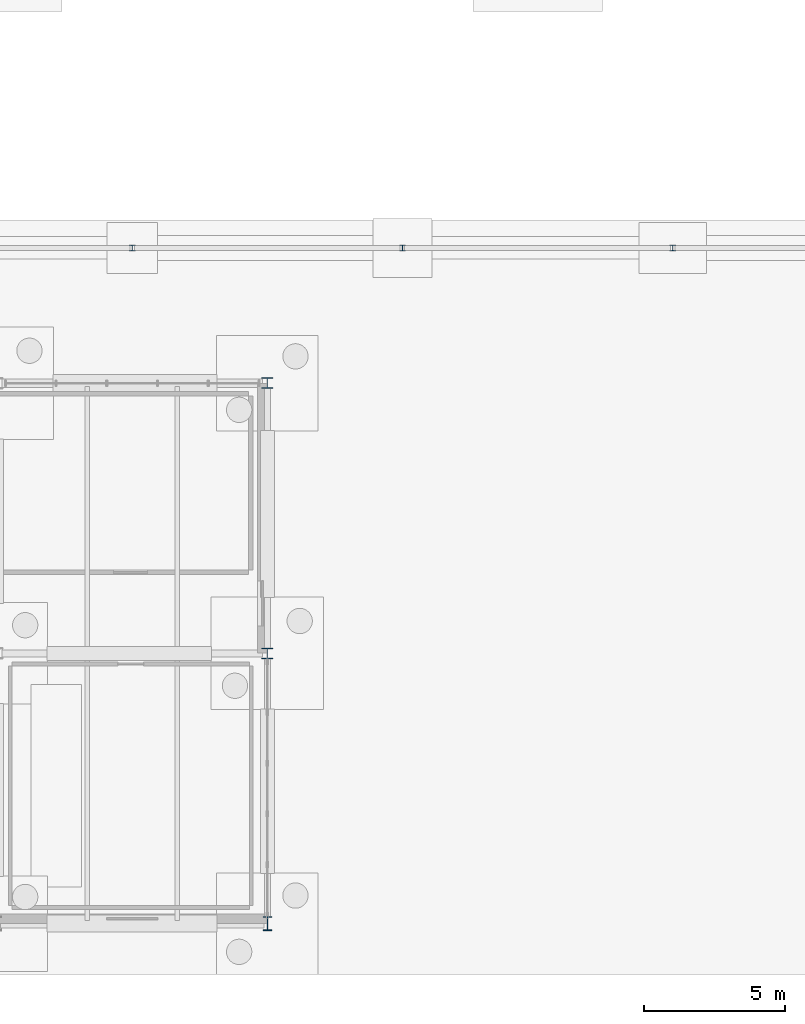
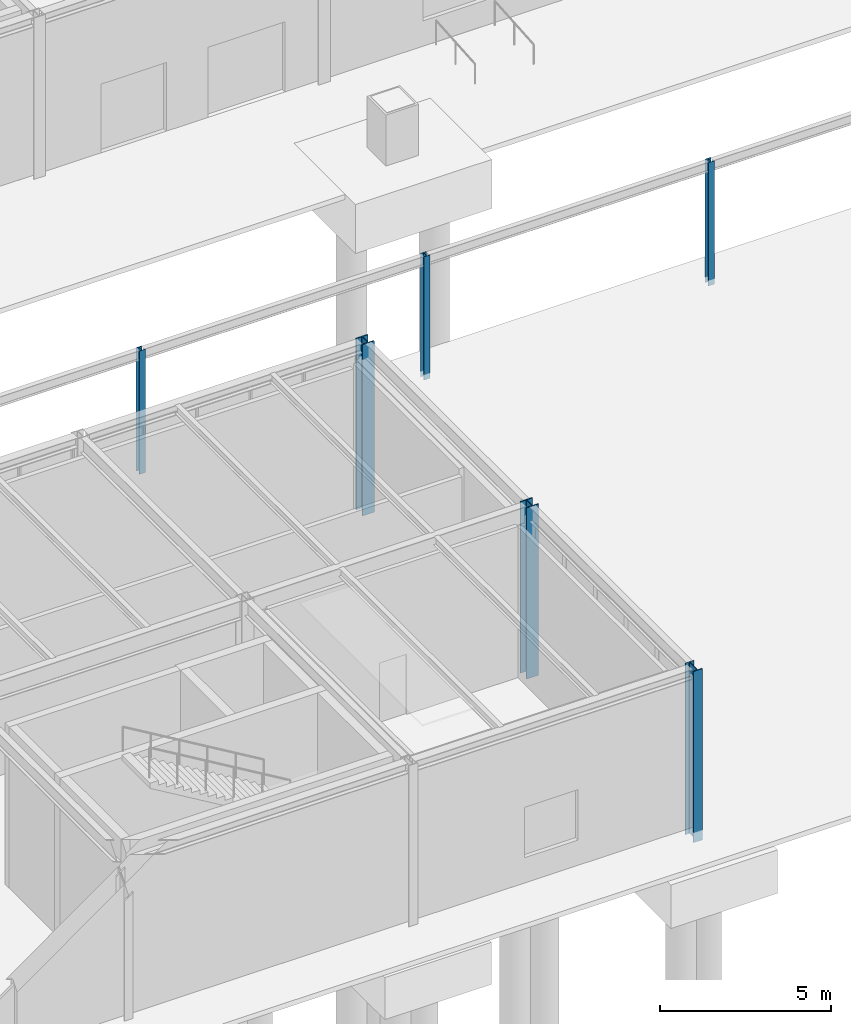
# One storey, part 12 of 142: 6 columns.
"""IFC4 building model written with IfcOpenShell, lengths in metres."""

from ifc_helpers import new_model, si_unit, direction, frame, origin, origin_2d, place, context, subcontext, project, spatial, i_section, extrude, material, material_profile, profile_set, type_object, element, save


model = new_model("IFC4")

# Units and contexts
model_context = context("Model", 3, precision=1e-05, world=origin(), true_north=direction((0.0, 1.0)))
body_context = subcontext(model_context, "Body", "Model", "MODEL_VIEW")
ifc_project = project(units=[si_unit("LENGTHUNIT", "METRE"), si_unit("AREAUNIT", "SQUARE_METRE"), si_unit("VOLUMEUNIT", "CUBIC_METRE"), si_unit("PLANEANGLEUNIT", "RADIAN"), si_unit("MASSUNIT", "GRAM", prefix="KILO")], contexts=[model_context])

# Site, building, storey
site_placement = place(None, origin())
site = spatial("IfcSite", under=ifc_project, at=site_placement, CompositionType="ELEMENT")
building_placement = place(site_placement, origin())
building = spatial("IfcBuilding", under=site, at=building_placement, Name="Coralgate Yard Interchange", CompositionType="ELEMENT")
storey_placement = place(building_placement, origin())
storey = spatial("IfcBuildingStorey", under=building, at=storey_placement, Name="L00", CompositionType="ELEMENT", Elevation=0.0)

# Columns
ifc_material = material(Name="Structural steel S355J2", Category="steel")
ifc_material_profile_1 = material_profile(ifc_material, i_section(OverallWidth=0.39892578125, OverallDepth=0.3935546875, WebThickness=0.022705078125, FlangeThickness=0.03662109375, FilletRadius=0.01513671875, at=origin_2d()), Name="UC 356x406x287")
ifc_profile_set_1 = profile_set([ifc_material_profile_1], Name="Structural steel S355J2")
column_type_1 = type_object("IfcColumnType", Name="COL-SC-1", PredefinedType="COLUMN", material=ifc_profile_set_1)
for number, where, z_axis, x_axis, name in (
    (1, (96.0, 9.60009765625, -0.360107421875), (0.0, 0.0, 1.0), (1.0, 0.0, 0.0), "L00 structural column 10-1"),
    (2, (96.0, 19.199951171875, -0.360107421875), (0.0, 0.0, 1.0), (1.0, 0.0, 0.0), "L00 structural column 10-2"),
):
    element("IfcColumn", number, at=place(storey_placement, frame(where, z_axis=z_axis, x_axis=x_axis)), inside=storey, type_object=column_type_1, Name=name, PredefinedType="COLUMN", context=body_context, shape_type="SweptSolid", body=[
        extrude(i_section(OverallWidth=0.39892578125, OverallDepth=0.3935546875, WebThickness=0.022705078125, FlangeThickness=0.03662109375, FilletRadius=0.01513671875, at=origin_2d()), origin(), (0.0, 0.0, 1.0), 6.110107421875),
    ])
ifc_material_profile_2 = material_profile(ifc_material, i_section(OverallWidth=0.300048828125, OverallDepth=0.5, WebThickness=0.014404296875, FlangeThickness=0.028076171875, FilletRadius=0.027099609375, at=origin_2d()), Name="HEB 500")
ifc_profile_set_2 = profile_set([ifc_material_profile_2], Name="Structural steel S355J2")
column_type_2 = type_object("IfcColumnType", Name="COL-SC-10", PredefinedType="COLUMN", material=ifc_profile_set_2)
column_placement = place(storey_placement, frame((96.0, 0.0, -0.360107421875), z_axis=(0.0, 0.0, 1.0), x_axis=(1.0, 0.0, 0.0)))
element("IfcColumn", 3, at=column_placement, inside=storey, type_object=column_type_2, Name="L00 structural column 10-0", PredefinedType="COLUMN", context=body_context, shape_type="SweptSolid", body=[
    extrude(i_section(OverallWidth=0.300048828125, OverallDepth=0.5, WebThickness=0.014404296875, FlangeThickness=0.028076171875, FilletRadius=0.027099609375, at=origin_2d()), origin(), (0.0, 0.0, 1.0), 6.110107421875),
])
ifc_material_profile_3 = material_profile(ifc_material, i_section(OverallWidth=0.205810546875, OverallDepth=0.209716796875, WebThickness=0.009521484375, FlangeThickness=0.01416015625, FilletRadius=0.01025390625, at=origin_2d()), Name="UC 203x203x60")
ifc_profile_set_3 = profile_set([ifc_material_profile_3], Name="Structural steel S355J2")
column_type_3 = type_object("IfcColumnType", Name="COL-SC-9", PredefinedType="COLUMN", material=ifc_profile_set_3)
for number, where, z_axis, x_axis, name in (
    (4, (91.199951171875, 24.0, -0.199951171875), (0.0, 0.0, 1.0), (1.0, 0.0, 0.0), "Courtyard colonnade steel column 4"),
    (5, (100.800048828125, 24.0, -0.199951171875), (0.0, 0.0, 1.0), (1.0, 0.0, 0.0), "Courtyard colonnade steel column 5"),
    (6, (110.39990234375, 24.0, -0.199951171875), (0.0, 0.0, 1.0), (1.0, 0.0, 0.0), "Courtyard colonnade steel column 6"),
):
    element("IfcColumn", number, at=place(storey_placement, frame(where, z_axis=z_axis, x_axis=x_axis)), inside=storey, type_object=column_type_3, Name=name, PredefinedType="COLUMN", context=body_context, shape_type="SweptSolid", body=[
        extrude(i_section(OverallWidth=0.205810546875, OverallDepth=0.209716796875, WebThickness=0.009521484375, FlangeThickness=0.01416015625, FilletRadius=0.01025390625, at=origin_2d()), origin(), (0.0, 0.0, 1.0), 4.39990234375),
    ])

save(model, "model.ifc")
